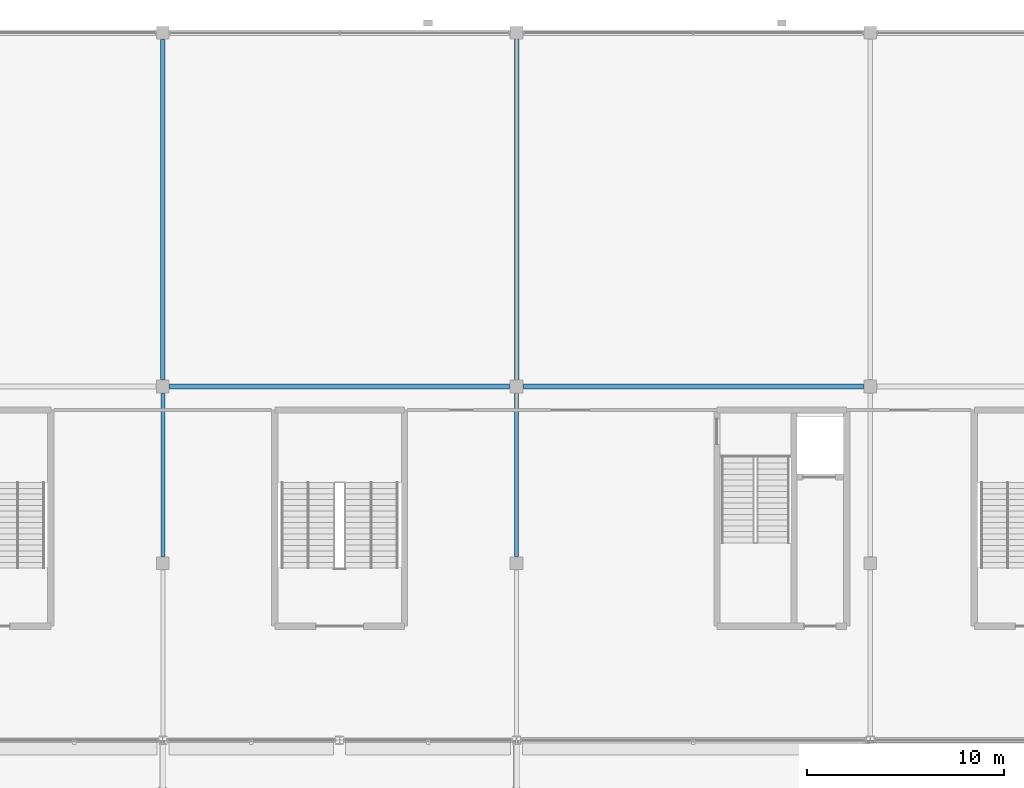
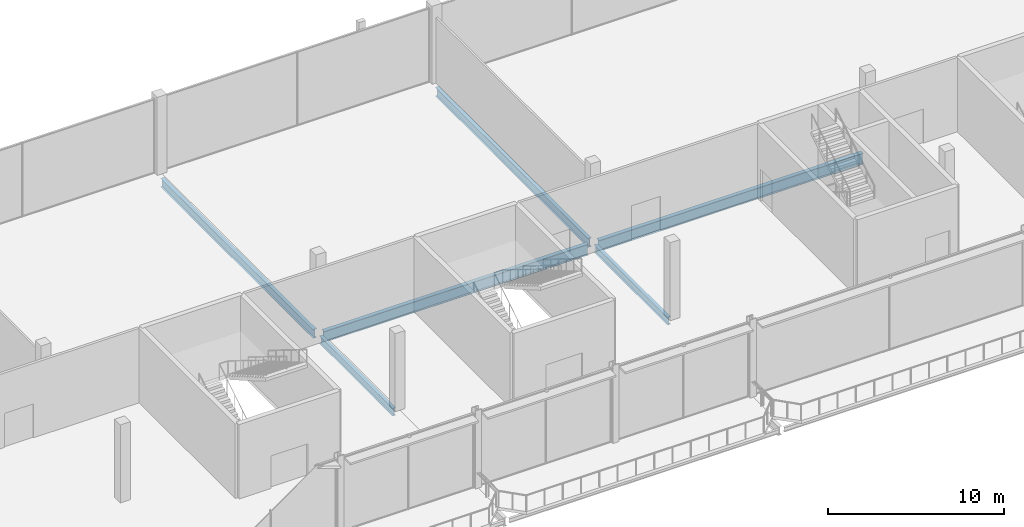
# One storey, part 42 of 113: 6 beams.
"""IFC4 building model written with IfcOpenShell, lengths in metres."""

from ifc_helpers import new_model, si_unit, direction, frame, origin, origin_2d, place, context, subcontext, project, spatial, i_section, extrude, material, material_profile, profile_set, type_object, element, save


model = new_model("IFC4")

# Units and contexts
model_context = context("Model", 3, precision=1e-05, world=origin(), true_north=direction((0.0, 1.0)))
body_context = subcontext(model_context, "Body", "Model", "MODEL_VIEW")
ifc_project = project(units=[si_unit("LENGTHUNIT", "METRE"), si_unit("AREAUNIT", "SQUARE_METRE"), si_unit("VOLUMEUNIT", "CUBIC_METRE"), si_unit("PLANEANGLEUNIT", "RADIAN"), si_unit("MASSUNIT", "GRAM", prefix="KILO")], contexts=[model_context])

# Site, building, storey
site_placement = place(None, origin())
site = spatial("IfcSite", under=ifc_project, at=site_placement, CompositionType="ELEMENT")
building_placement = place(site_placement, origin())
building = spatial("IfcBuilding", under=site, at=building_placement, Name="Kisiwana Market Hall", CompositionType="ELEMENT")
storey_placement = place(building_placement, frame((0.0, 0.0, 6.0)))
storey = spatial("IfcBuildingStorey", under=building, at=storey_placement, Name="L01", CompositionType="ELEMENT", Elevation=6.0)

# Beams
ifc_material_1 = material(Name="Steel S355", Category="steel")
ifc_material_profile_1 = material_profile(ifc_material_1, i_section(OverallWidth=0.209228515625, OverallDepth=0.533203125, WebThickness=0.010009765625, FlangeThickness=0.015625, at=origin_2d()), Name="UB 533x210x92")
ifc_profile_set_1 = profile_set([ifc_material_profile_1], Name="Steel S355")
beam_type_1 = type_object("IfcBeamType", Name="BM-GIRD-UB533", PredefinedType="BEAM", material=ifc_profile_set_1)
for number, where, z_axis, x_axis, name in (
    (1, (99.0, 93.345947265625, -0.5166015625), (0.0, 1.0, 0.0), (-1.0, 0.0, 0.0), "Primary girder B-0377"),
    (2, (117.0, 93.345947265625, -0.5166015625), (0.0, 1.0, 0.0), (-1.0, 0.0, 0.0), "Primary girder B-0383"),
):
    element("IfcBeam", number, at=place(storey_placement, frame(where, z_axis=z_axis, x_axis=x_axis)), inside=storey, type_object=beam_type_1, Name=name, PredefinedType="BEAM", context=body_context, shape_type="SweptSolid", body=[
        extrude(i_section(OverallWidth=0.209228515625, OverallDepth=0.533203125, WebThickness=0.010009765625, FlangeThickness=0.015625, at=origin_2d()), origin(), (0.0, 0.0, 1.0), 8.30810546875),
    ])
ifc_material_2 = material(Name="Steel S355", Category="steel")
ifc_material_profile_2 = material_profile(ifc_material_2, i_section(OverallWidth=0.22900390625, OverallDepth=0.6123046875, WebThickness=0.011962890625, FlangeThickness=0.01953125, at=origin_2d()), Name="UB 610x229x125")
ifc_profile_set_2 = profile_set([ifc_material_profile_2], Name="Steel S355")
beam_type_2 = type_object("IfcBeamType", Name="BM-GIRD-UB610H", PredefinedType="BEAM", material=ifc_profile_set_2)
for number, where, z_axis, x_axis, name in (
    (3, (99.0, 102.345947265625, -0.55615234375), (0.0, 1.0, 0.0), (-1.0, 0.0, 0.0), "Primary girder B-0378"),
    (4, (117.0, 102.345947265625, -0.55615234375), (0.0, 1.0, 0.0), (-1.0, 0.0, 0.0), "Primary girder B-0384"),
):
    element("IfcBeam", number, at=place(storey_placement, frame(where, z_axis=z_axis, x_axis=x_axis)), inside=storey, type_object=beam_type_2, Name=name, PredefinedType="BEAM", context=body_context, shape_type="SweptSolid", body=[
        extrude(i_section(OverallWidth=0.22900390625, OverallDepth=0.6123046875, WebThickness=0.011962890625, FlangeThickness=0.01953125, at=origin_2d()), origin(), (0.0, 0.0, 1.0), 17.30810546875),
    ])
ifc_material_3 = material(Name="Steel S355", Category="steel")
ifc_material_profile_3 = material_profile(ifc_material_3, i_section(OverallWidth=0.2666015625, OverallDepth=0.76220703125, WebThickness=0.014404296875, FlangeThickness=0.021484375, at=origin_2d()), Name="UB 762x267x173")
ifc_profile_set_3 = profile_set([ifc_material_profile_3], Name="Steel S355")
beam_type_3 = type_object("IfcBeamType", Name="BM-GIRD-UB762", PredefinedType="BEAM", material=ifc_profile_set_3)
for number, where, z_axis, x_axis, name in (
    (5, (99.345947265625, 102.0, -0.631103515625), (1.0, 0.0, 0.0), (0.0, 1.0, 0.0), "Floor beam B-0526"),
    (6, (117.345947265625, 102.0, -0.631103515625), (1.0, 0.0, 0.0), (0.0, 1.0, 0.0), "Floor beam B-0527"),
):
    element("IfcBeam", number, at=place(storey_placement, frame(where, z_axis=z_axis, x_axis=x_axis)), inside=storey, type_object=beam_type_3, Name=name, PredefinedType="BEAM", context=body_context, shape_type="SweptSolid", body=[
        extrude(i_section(OverallWidth=0.2666015625, OverallDepth=0.76220703125, WebThickness=0.014404296875, FlangeThickness=0.021484375, at=origin_2d()), origin(), (0.0, 0.0, 1.0), 17.30810546875),
    ])

save(model, "model.ifc")
